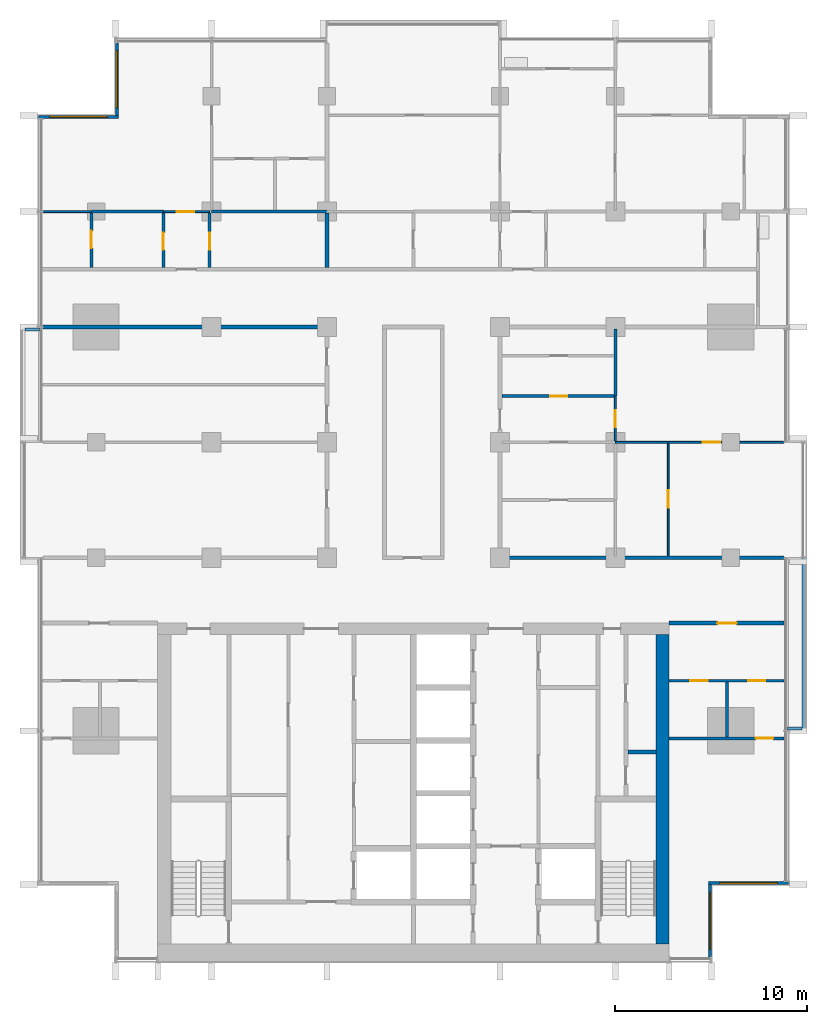
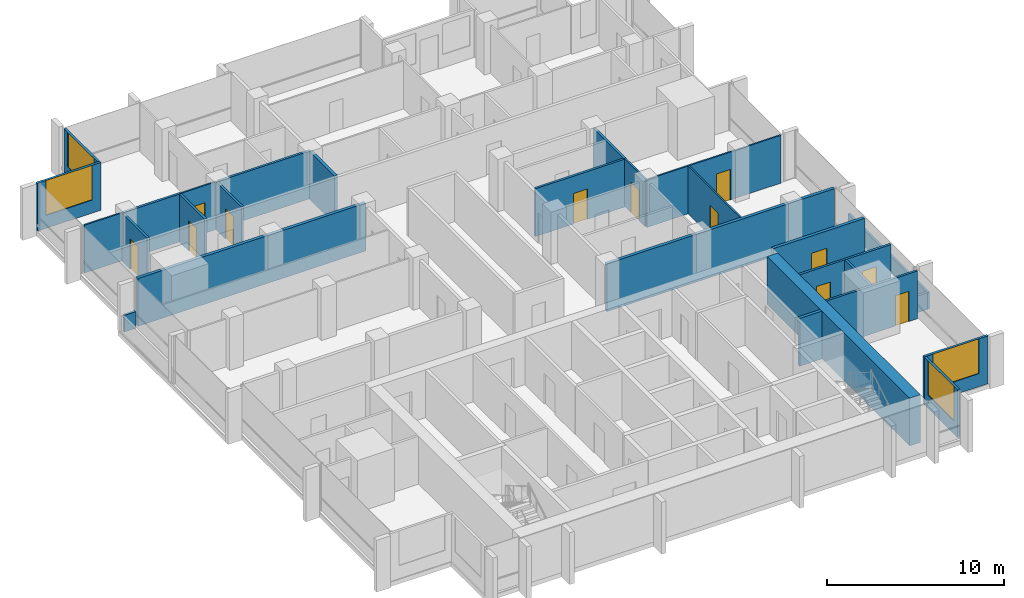
# One storey, part 9 of 16: 28 walls, 12 doors, 4 windows, 16 openings.
"""IFC4 building model written with IfcOpenShell, lengths in metres."""

from ifc_helpers import new_model, si_unit, direction, frame, frame_2d, origin, place, context, subcontext, project, spatial, rectangle, extrude, material, layer, layer_set, type_object, element, fill, save


model = new_model("IFC4")

# Units and contexts
model_context = context("Model", 3, precision=1e-05, world=origin(), true_north=direction((0.0, 1.0)))
body_context = subcontext(model_context, "Body", "Model", "MODEL_VIEW")
ifc_project = project(units=[si_unit("LENGTHUNIT", "METRE"), si_unit("AREAUNIT", "SQUARE_METRE"), si_unit("VOLUMEUNIT", "CUBIC_METRE"), si_unit("PLANEANGLEUNIT", "RADIAN"), si_unit("MASSUNIT", "GRAM", prefix="KILO")], contexts=[model_context])

# Site, building, storey
site_placement = place(None, origin())
site = spatial("IfcSite", under=ifc_project, at=site_placement, CompositionType="ELEMENT")
building_placement = place(site_placement, origin())
building = spatial("IfcBuilding", under=site, at=building_placement, Name="Finial Court Residences", CompositionType="ELEMENT")
storey_placement = place(building_placement, frame((0.0, 0.0, 156.5)))
storey = spatial("IfcBuildingStorey", under=building, at=storey_placement, Name="L38", CompositionType="ELEMENT", Elevation=156.5)

# Walls
ifc_material_1 = material(Name="Gypsum board")
ifc_layer_1 = layer(ifc_material_1, 0.02490234375)
ifc_material_2 = material(Name="Acoustic mineral wool in double frame")
ifc_layer_2 = layer(ifc_material_2, 0.14990234375)
ifc_layer_3 = layer(ifc_material_1, 0.02490234375)
ifc_layer_set_1 = layer_set([ifc_layer_1, ifc_layer_2, ifc_layer_3], Name="Acoustic party wall 200, 1 hour")
wall_type_1 = type_object("IfcWallType", Name="Acoustic party wall 200, 1 hour", PredefinedType="PARTITIONING", material=ifc_layer_set_1)
wall_1_placement = place(storey_placement, frame((-4.5, 10.60009765625, 0.0), z_axis=(0.0, 0.0, 1.0), x_axis=(0.0, 1.0, 0.0)))
element("IfcWall", 1, at=wall_1_placement, inside=storey, type_object=wall_type_1, Name="Partition L38-039", PredefinedType="PARTITIONING", context=body_context, shape_type="SweptSolid", body=[
    extrude(rectangle(XDim=2.824951171875, YDim=0.199951171875, at=frame_2d((1.41259765625, 0.0))), origin(), (0.0, 0.0, 1.0), 3.300048828125),
])
ifc_material_3 = material(Name="Concrete C70/85", Category="concrete")
ifc_layer_4 = layer(ifc_material_3, 0.699951171875)
ifc_layer_set_2 = layer_set([ifc_layer_4], Name="Core outer wall 700 Concrete C70/85")
wall_type_2 = type_object("IfcWallType", Name="Core outer wall 700 Concrete C70/85", PredefinedType="SHEAR", material=ifc_layer_set_2)
wall_2_placement = place(storey_placement, frame((12.949951171875, -24.60009765625, 0.0), z_axis=(0.0, 0.0, 1.0), x_axis=(0.0, 1.0, 0.0)))
element("IfcWall", 2, at=wall_2_placement, inside=storey, type_object=wall_type_2, Name="Core outer wall L38-04", PredefinedType="SHEAR", context=body_context, shape_type="SweptSolid", body=[
    extrude(rectangle(XDim=16.10009765625, YDim=0.699951171875, at=frame_2d((8.050048828125, 0.0))), origin(), (0.0, 0.0, 1.0), 3.300048828125),
])

# Wall, opening, door
ifc_layer_5 = layer(ifc_material_1, 0.02490234375)
ifc_layer_6 = layer(ifc_material_2, 0.14990234375)
ifc_layer_7 = layer(ifc_material_1, 0.02490234375)
ifc_layer_set_3 = layer_set([ifc_layer_5, ifc_layer_6, ifc_layer_7], Name="Corridor wall 200, 1 hour")
wall_type_3 = type_object("IfcWallType", Name="Corridor wall 200, 1 hour", PredefinedType="PARTITIONING", material=ifc_layer_set_3)
wall_3_placement = place(storey_placement, frame((13.300048828125, -7.89990234375, 0.0), z_axis=(0.0, 0.0, 1.0), x_axis=(1.0, 0.0, 0.0)))
wall_3 = element("IfcWall", 3, at=wall_3_placement, inside=storey, type_object=wall_type_3, Name="Partition L38-005", PredefinedType="PARTITIONING", context=body_context, shape_type="SweptSolid", body=[
    extrude(rectangle(XDim=5.96240234375, YDim=0.199951171875, at=frame_2d((2.981201171875, 0.0))), origin(), (0.0, 0.0, 1.0), 3.300048828125),
])
opening_1_placement = place(wall_3_placement, frame((2.5, 0.0, 0.0)))
opening_1 = element("IfcOpeningElement", 4, at=opening_1_placement, cuts=wall_3, Name="Opening L38-D008", PredefinedType="OPENING", context=body_context, shape_type="SweptSolid", body=[
    extrude(rectangle(XDim=1.0, YDim=2.10009765625, at=frame_2d((0.5, 1.050048828125))), frame((0.0, 0.10986328125, 0.0), z_axis=(0.0, -1.0, 0.0), x_axis=(1.0, 0.0, 0.0)), (0.0, 0.0, 1.0), 0.219970703125),
])
ifc_material_4 = material(Name="Timber door leaf in hollow metal frame", Category="wood")
door_type_1 = type_object("IfcDoorType", Name="Fire door set 1000 x 2100, 30 minutes", OperationType="SINGLE_SWING_LEFT", PredefinedType="DOOR", material=ifc_material_4)
door_1_placement = place(opening_1_placement, origin())
door_1 = element("IfcDoor", 5, at=door_1_placement, inside=storey, type_object=door_type_1, Name="Door L38-D008", OperationType="SINGLE_SWING_LEFT", OverallHeight=2.10009765625, OverallWidth=1.0, PredefinedType="DOOR", context=body_context, shape_type="SweptSolid", body=[
    extrude(rectangle(XDim=1.0, YDim=2.10009765625, at=frame_2d((0.5, 1.050048828125))), frame((0.0, 0.02490234375, 0.0), z_axis=(0.0, -1.0, 0.0), x_axis=(1.0, 0.0, 0.0)), (0.0, 0.0, 1.0), 0.050048828125),
])
fill(opening_1, door_1)

# Walls
for number, where, z_axis, x_axis, name in (
    (6, (4.39990234375, -4.5, 0.0), (0.0, 0.0, 1.0), (1.0, 0.0, 0.0), "Partition L38-008"),
    (7, (-19.262451171875, 7.5, 0.0), (0.0, 0.0, 1.0), (1.0, 0.0, 0.0), "Partition L38-016"),
):
    element("IfcWall", number, at=place(storey_placement, frame(where, z_axis=z_axis, x_axis=x_axis)), inside=storey, type_object=wall_type_3, Name=name, PredefinedType="PARTITIONING", context=body_context, shape_type="SweptSolid", body=[
        extrude(rectangle(XDim=14.862548828125, YDim=0.199951171875, at=frame_2d((7.43115234375, 0.0))), origin(), (0.0, 0.0, 1.0), 3.300048828125),
    ])

# Wall, opening, door
ifc_layer_8 = layer(ifc_material_1, 0.012451171875)
ifc_material_5 = material(Name="Mineral wool in light-gauge frame")
ifc_layer_9 = layer(ifc_material_5, 0.074951171875)
ifc_layer_10 = layer(ifc_material_1, 0.012451171875)
ifc_layer_set_4 = layer_set([ifc_layer_8, ifc_layer_9, ifc_layer_10], Name="Gypsum board partition 100")
wall_type_4 = type_object("IfcWallType", Name="Gypsum board partition 100", PredefinedType="PARTITIONING", material=ifc_layer_set_4)
wall_4_placement = place(storey_placement, frame((10.5, 1.5, 0.0), z_axis=(0.0, 0.0, 1.0), x_axis=(1.0, 0.0, 0.0)))
wall_4 = element("IfcWall", 8, at=wall_4_placement, inside=storey, type_object=wall_type_4, Name="Partition L38-011", PredefinedType="PARTITIONING", context=body_context, shape_type="SweptSolid", body=[
    extrude(rectangle(XDim=8.762451171875, YDim=0.10009765625, at=frame_2d((4.38134765625, 0.0))), origin(), (0.0, 0.0, 1.0), 3.300048828125),
])
opening_2_placement = place(wall_4_placement, frame((4.550048828125, 0.0, 0.0)))
opening_2 = element("IfcOpeningElement", 9, at=opening_2_placement, cuts=wall_4, Name="Opening L38-D011", PredefinedType="OPENING", context=body_context, shape_type="SweptSolid", body=[
    extrude(rectangle(XDim=0.89990234375, YDim=2.10009765625, at=frame_2d((0.449951171875, 1.050048828125))), frame((0.0, 0.06005859375, 0.0), z_axis=(0.0, -1.0, 0.0), x_axis=(1.0, 0.0, 0.0)), (0.0, 0.0, 1.0), 0.1201171875),
])
ifc_material_6 = material(Name="Timber door leaf in timber frame", Category="wood")
door_type_2 = type_object("IfcDoorType", Name="Door set 900 x 2100", OperationType="SINGLE_SWING_LEFT", PredefinedType="DOOR", material=ifc_material_6)
door_2_placement = place(opening_2_placement, origin())
door_2 = element("IfcDoor", 10, at=door_2_placement, inside=storey, type_object=door_type_2, Name="Door L38-D011", OperationType="SINGLE_SWING_RIGHT", OverallHeight=2.10009765625, OverallWidth=0.89990234375, PredefinedType="DOOR", context=body_context, shape_type="SweptSolid", body=[
    extrude(rectangle(XDim=0.89990234375, YDim=2.10009765625, at=frame_2d((0.449951171875, 1.050048828125))), frame((0.0, 0.02490234375, 0.0), z_axis=(0.0, -1.0, 0.0), x_axis=(1.0, 0.0, 0.0)), (0.0, 0.0, 1.0), 0.050048828125),
])
fill(opening_2, door_2)

# Wall
wall_5_placement = place(storey_placement, frame((-19.262451171875, 13.5, 0.0), z_axis=(0.0, 0.0, 1.0), x_axis=(1.0, 0.0, 0.0)))
element("IfcWall", 11, at=wall_5_placement, inside=storey, type_object=wall_type_4, Name="Partition L38-020", PredefinedType="PARTITIONING", context=body_context, shape_type="SweptSolid", body=[
    extrude(rectangle(XDim=2.512451171875, YDim=0.10009765625, at=frame_2d((1.25634765625, 0.0))), origin(), (0.0, 0.0, 1.0), 3.300048828125),
])

# Wall, opening, door
wall_6_placement = place(storey_placement, frame((-13.0, 13.5, 0.0), z_axis=(0.0, 0.0, 1.0), x_axis=(1.0, 0.0, 0.0)))
wall_6 = element("IfcWall", 12, at=wall_6_placement, inside=storey, type_object=wall_type_4, Name="Partition L38-021", PredefinedType="PARTITIONING", context=body_context, shape_type="SweptSolid", body=[
    extrude(rectangle(XDim=2.39990234375, YDim=0.10009765625, at=frame_2d((1.199951171875, 0.0))), origin(), (0.0, 0.0, 1.0), 3.300048828125),
])
opening_3_placement = place(wall_6_placement, frame((0.699951171875, 0.0, 0.0)))
opening_3 = element("IfcOpeningElement", 13, at=opening_3_placement, cuts=wall_6, Name="Opening L38-D017", PredefinedType="OPENING", context=body_context, shape_type="SweptSolid", body=[
    extrude(rectangle(XDim=0.89990234375, YDim=2.10009765625, at=frame_2d((0.449951171875, 1.050048828125))), frame((0.0, 0.06005859375, 0.0), z_axis=(0.0, -1.0, 0.0), x_axis=(1.0, 0.0, 0.0)), (0.0, 0.0, 1.0), 0.1201171875),
])
door_3_placement = place(opening_3_placement, origin())
door_3 = element("IfcDoor", 14, at=door_3_placement, inside=storey, type_object=door_type_2, Name="Door L38-D017", OperationType="SINGLE_SWING_RIGHT", OverallHeight=2.10009765625, OverallWidth=0.89990234375, PredefinedType="DOOR", context=body_context, shape_type="SweptSolid", body=[
    extrude(rectangle(XDim=0.89990234375, YDim=2.10009765625, at=frame_2d((0.449951171875, 1.050048828125))), frame((0.0, 0.02490234375, 0.0), z_axis=(0.0, -1.0, 0.0), x_axis=(1.0, 0.0, 0.0)), (0.0, 0.0, 1.0), 0.050048828125),
])
fill(opening_3, door_3)

wall_7_placement = place(storey_placement, frame((10.5, 1.574951171875, 0.0), z_axis=(0.0, 0.0, 1.0), x_axis=(0.0, 1.0, 0.0)))
wall_7 = element("IfcWall", 15, at=wall_7_placement, inside=storey, type_object=wall_type_4, Name="Partition L38-049", PredefinedType="PARTITIONING", context=body_context, shape_type="SweptSolid", body=[
    extrude(rectangle(XDim=2.324951171875, YDim=0.10009765625, at=frame_2d((1.16259765625, 0.0))), origin(), (0.0, 0.0, 1.0), 3.300048828125),
])
opening_4_placement = place(wall_7_placement, frame((0.699951171875, 0.0, 0.0)))
opening_4 = element("IfcOpeningElement", 16, at=opening_4_placement, cuts=wall_7, Name="Opening L38-D035", PredefinedType="OPENING", context=body_context, shape_type="SweptSolid", body=[
    extrude(rectangle(XDim=0.89990234375, YDim=2.10009765625, at=frame_2d((0.449951171875, 1.050048828125))), frame((0.0, 0.06005859375, 0.0), z_axis=(0.0, -1.0, 0.0), x_axis=(1.0, 0.0, 0.0)), (0.0, 0.0, 1.0), 0.1201171875),
])
door_4_placement = place(opening_4_placement, origin())
door_4 = element("IfcDoor", 17, at=door_4_placement, inside=storey, type_object=door_type_2, Name="Door L38-D035", OperationType="SINGLE_SWING_LEFT", OverallHeight=2.10009765625, OverallWidth=0.89990234375, PredefinedType="DOOR", context=body_context, shape_type="SweptSolid", body=[
    extrude(rectangle(XDim=0.89990234375, YDim=2.10009765625, at=frame_2d((0.449951171875, 1.050048828125))), frame((0.0, 0.02490234375, 0.0), z_axis=(0.0, -1.0, 0.0), x_axis=(1.0, 0.0, 0.0)), (0.0, 0.0, 1.0), 0.050048828125),
])
fill(opening_4, door_4)

wall_8_placement = place(storey_placement, frame((13.25, -4.39990234375, 0.0), z_axis=(0.0, 0.0, 1.0), x_axis=(0.0, 1.0, 0.0)))
wall_8 = element("IfcWall", 18, at=wall_8_placement, inside=storey, type_object=wall_type_4, Name="Partition L38-053", PredefinedType="PARTITIONING", context=body_context, shape_type="SweptSolid", body=[
    extrude(rectangle(XDim=5.849853515625, YDim=0.10009765625, at=frame_2d((2.9248046875, 0.0))), origin(), (0.0, 0.0, 1.0), 3.300048828125),
])
opening_5_placement = place(wall_8_placement, frame((2.5, 0.0, 0.0)))
opening_5 = element("IfcOpeningElement", 19, at=opening_5_placement, cuts=wall_8, Name="Opening L38-D037", PredefinedType="OPENING", context=body_context, shape_type="SweptSolid", body=[
    extrude(rectangle(XDim=0.89990234375, YDim=2.10009765625, at=frame_2d((0.449951171875, 1.050048828125))), frame((0.0, 0.06005859375, 0.0), z_axis=(0.0, -1.0, 0.0), x_axis=(1.0, 0.0, 0.0)), (0.0, 0.0, 1.0), 0.1201171875),
])
door_5_placement = place(opening_5_placement, origin())
door_5 = element("IfcDoor", 20, at=door_5_placement, inside=storey, type_object=door_type_2, Name="Door L38-D037", OperationType="SINGLE_SWING_LEFT", OverallHeight=2.10009765625, OverallWidth=0.89990234375, PredefinedType="DOOR", context=body_context, shape_type="SweptSolid", body=[
    extrude(rectangle(XDim=0.89990234375, YDim=2.10009765625, at=frame_2d((0.449951171875, 1.050048828125))), frame((0.0, 0.02490234375, 0.0), z_axis=(0.0, -1.0, 0.0), x_axis=(1.0, 0.0, 0.0)), (0.0, 0.0, 1.0), 0.050048828125),
])
fill(opening_5, door_5)

ifc_material_7 = material(Name="Moisture-resistant gypsum board")
ifc_layer_11 = layer(ifc_material_7, 0.012451171875)
ifc_layer_12 = layer(ifc_material_5, 0.125)
ifc_layer_13 = layer(ifc_material_7, 0.012451171875)
ifc_layer_set_5 = layer_set([ifc_layer_11, ifc_layer_12, ifc_layer_13], Name="Gypsum board wet-area partition 150")
wall_type_5 = type_object("IfcWallType", Name="Gypsum board wet-area partition 150", PredefinedType="PARTITIONING", material=ifc_layer_set_5)
wall_9_placement = place(storey_placement, frame((13.300048828125, -13.89990234375, 0.0), z_axis=(0.0, 0.0, 1.0), x_axis=(1.0, 0.0, 0.0)))
wall_9 = element("IfcWall", 21, at=wall_9_placement, inside=storey, type_object=wall_type_5, Name="Partition L38-001", PredefinedType="PARTITIONING", context=body_context, shape_type="SweptSolid", body=[
    extrude(rectangle(XDim=5.96240234375, YDim=0.14990234375, at=frame_2d((2.981201171875, 0.0))), origin(), (0.0, 0.0, 1.0), 3.300048828125),
])
opening_6_placement = place(wall_9_placement, frame((4.5, 0.0, 0.0)))
opening_6 = element("IfcOpeningElement", 22, at=opening_6_placement, cuts=wall_9, Name="Opening L38-D002", PredefinedType="OPENING", context=body_context, shape_type="SweptSolid", body=[
    extrude(rectangle(XDim=0.89990234375, YDim=2.10009765625, at=frame_2d((0.449951171875, 1.050048828125))), frame((0.0, 0.0849609375, 0.0), z_axis=(0.0, -1.0, 0.0), x_axis=(1.0, 0.0, 0.0)), (0.0, 0.0, 1.0), 0.169921875),
])
door_6_placement = place(opening_6_placement, origin())
door_6 = element("IfcDoor", 23, at=door_6_placement, inside=storey, type_object=door_type_2, Name="Door L38-D002", OperationType="SINGLE_SWING_RIGHT", OverallHeight=2.10009765625, OverallWidth=0.89990234375, PredefinedType="DOOR", context=body_context, shape_type="SweptSolid", body=[
    extrude(rectangle(XDim=0.89990234375, YDim=2.10009765625, at=frame_2d((0.449951171875, 1.050048828125))), frame((0.0, 0.02490234375, 0.0), z_axis=(0.0, -1.0, 0.0), x_axis=(1.0, 0.0, 0.0)), (0.0, 0.0, 1.0), 0.050048828125),
])
fill(opening_6, door_6)

# Wall, openings, doors
wall_10_placement = place(storey_placement, frame((13.300048828125, -10.89990234375, 0.0), z_axis=(0.0, 0.0, 1.0), x_axis=(1.0, 0.0, 0.0)))
wall_10 = element("IfcWall", 24, at=wall_10_placement, inside=storey, type_object=wall_type_5, Name="Partition L38-003", PredefinedType="PARTITIONING", context=body_context, shape_type="SweptSolid", body=[
    extrude(rectangle(XDim=5.96240234375, YDim=0.14990234375, at=frame_2d((2.981201171875, 0.0))), origin(), (0.0, 0.0, 1.0), 3.300048828125),
])
opening_7_placement = place(wall_10_placement, frame((1.10009765625, 0.0, 0.0)))
opening_7 = element("IfcOpeningElement", 25, at=opening_7_placement, cuts=wall_10, Name="Opening L38-D005", PredefinedType="OPENING", context=body_context, shape_type="SweptSolid", body=[
    extrude(rectangle(XDim=0.89990234375, YDim=2.10009765625, at=frame_2d((0.449951171875, 1.050048828125))), frame((0.0, 0.0849609375, 0.0), z_axis=(0.0, -1.0, 0.0), x_axis=(1.0, 0.0, 0.0)), (0.0, 0.0, 1.0), 0.169921875),
])
opening_8_placement = place(wall_10_placement, frame((4.10009765625, 0.0, 0.0)))
opening_8 = element("IfcOpeningElement", 26, at=opening_8_placement, cuts=wall_10, Name="Opening L38-D006", PredefinedType="OPENING", context=body_context, shape_type="SweptSolid", body=[
    extrude(rectangle(XDim=0.89990234375, YDim=2.10009765625, at=frame_2d((0.449951171875, 1.050048828125))), frame((0.0, 0.0849609375, 0.0), z_axis=(0.0, -1.0, 0.0), x_axis=(1.0, 0.0, 0.0)), (0.0, 0.0, 1.0), 0.169921875),
])
door_7_placement = place(opening_7_placement, origin())
door_7 = element("IfcDoor", 27, at=door_7_placement, inside=storey, type_object=door_type_2, Name="Door L38-D005", OperationType="SINGLE_SWING_LEFT", OverallHeight=2.10009765625, OverallWidth=0.89990234375, PredefinedType="DOOR", context=body_context, shape_type="SweptSolid", body=[
    extrude(rectangle(XDim=0.89990234375, YDim=2.10009765625, at=frame_2d((0.449951171875, 1.050048828125))), frame((0.0, 0.02490234375, 0.0), z_axis=(0.0, -1.0, 0.0), x_axis=(1.0, 0.0, 0.0)), (0.0, 0.0, 1.0), 0.050048828125),
])
fill(opening_7, door_7)
door_8_placement = place(opening_8_placement, origin())
door_8 = element("IfcDoor", 28, at=door_8_placement, inside=storey, type_object=door_type_2, Name="Door L38-D006", OperationType="SINGLE_SWING_RIGHT", OverallHeight=2.10009765625, OverallWidth=0.89990234375, PredefinedType="DOOR", context=body_context, shape_type="SweptSolid", body=[
    extrude(rectangle(XDim=0.89990234375, YDim=2.10009765625, at=frame_2d((0.449951171875, 1.050048828125))), frame((0.0, 0.02490234375, 0.0), z_axis=(0.0, -1.0, 0.0), x_axis=(1.0, 0.0, 0.0)), (0.0, 0.0, 1.0), 0.050048828125),
])
fill(opening_8, door_8)

# Wall, opening, door
wall_11_placement = place(storey_placement, frame((4.60009765625, 3.89990234375, 0.0), z_axis=(0.0, 0.0, 1.0), x_axis=(1.0, 0.0, 0.0)))
wall_11 = element("IfcWall", 29, at=wall_11_placement, inside=storey, type_object=wall_type_5, Name="Partition L38-013", PredefinedType="PARTITIONING", context=body_context, shape_type="SweptSolid", body=[
    extrude(rectangle(XDim=5.824951171875, YDim=0.14990234375, at=frame_2d((2.91259765625, 0.0))), origin(), (0.0, 0.0, 1.0), 3.300048828125),
])
opening_9_placement = place(wall_11_placement, frame((2.5, 0.0, 0.0)))
opening_9 = element("IfcOpeningElement", 30, at=opening_9_placement, cuts=wall_11, Name="Opening L38-D013", PredefinedType="OPENING", context=body_context, shape_type="SweptSolid", body=[
    extrude(rectangle(XDim=0.89990234375, YDim=2.10009765625, at=frame_2d((0.449951171875, 1.050048828125))), frame((0.0, 0.0849609375, 0.0), z_axis=(0.0, -1.0, 0.0), x_axis=(1.0, 0.0, 0.0)), (0.0, 0.0, 1.0), 0.169921875),
])
door_9_placement = place(opening_9_placement, origin())
door_9 = element("IfcDoor", 31, at=door_9_placement, inside=storey, type_object=door_type_2, Name="Door L38-D013", OperationType="SINGLE_SWING_RIGHT", OverallHeight=2.10009765625, OverallWidth=0.89990234375, PredefinedType="DOOR", context=body_context, shape_type="SweptSolid", body=[
    extrude(rectangle(XDim=0.89990234375, YDim=2.10009765625, at=frame_2d((0.449951171875, 1.050048828125))), frame((0.0, 0.02490234375, 0.0), z_axis=(0.0, -1.0, 0.0), x_axis=(1.0, 0.0, 0.0)), (0.0, 0.0, 1.0), 0.050048828125),
])
fill(opening_9, door_9)

# Walls
wall_12_placement = place(storey_placement, frame((-16.75, 13.5, 0.0), z_axis=(0.0, 0.0, 1.0), x_axis=(1.0, 0.0, 0.0)))
element("IfcWall", 32, at=wall_12_placement, inside=storey, type_object=wall_type_5, Name="Partition L38-024", PredefinedType="PARTITIONING", context=body_context, shape_type="SweptSolid", body=[
    extrude(rectangle(XDim=3.75, YDim=0.14990234375, at=frame_2d((1.875, 0.0))), origin(), (0.0, 0.0, 1.0), 3.300048828125),
])
wall_13_placement = place(storey_placement, frame((-10.5, 13.5, 0.0), z_axis=(0.0, 0.0, 1.0), x_axis=(1.0, 0.0, 0.0)))
element("IfcWall", 33, at=wall_13_placement, inside=storey, type_object=wall_type_5, Name="Partition L38-025", PredefinedType="PARTITIONING", context=body_context, shape_type="SweptSolid", body=[
    extrude(rectangle(XDim=6.0, YDim=0.14990234375, at=frame_2d((3.0, 0.0))), origin(), (0.0, 0.0, 1.0), 3.300048828125),
])

# Wall, opening, door
wall_14_placement = place(storey_placement, frame((-16.75, 10.60009765625, 0.0), z_axis=(0.0, 0.0, 1.0), x_axis=(0.0, 1.0, 0.0)))
wall_14 = element("IfcWall", 34, at=wall_14_placement, inside=storey, type_object=wall_type_5, Name="Partition L38-032", PredefinedType="PARTITIONING", context=body_context, shape_type="SweptSolid", body=[
    extrude(rectangle(XDim=2.824951171875, YDim=0.14990234375, at=frame_2d((1.41259765625, 0.0))), origin(), (0.0, 0.0, 1.0), 3.300048828125),
])
opening_10_placement = place(wall_14_placement, frame((1.0, 0.0, 0.0)))
opening_10 = element("IfcOpeningElement", 35, at=opening_10_placement, cuts=wall_14, Name="Opening L38-D023", PredefinedType="OPENING", context=body_context, shape_type="SweptSolid", body=[
    extrude(rectangle(XDim=0.89990234375, YDim=2.10009765625, at=frame_2d((0.449951171875, 1.050048828125))), frame((0.0, 0.0849609375, 0.0), z_axis=(0.0, -1.0, 0.0), x_axis=(1.0, 0.0, 0.0)), (0.0, 0.0, 1.0), 0.169921875),
])
door_10_placement = place(opening_10_placement, origin())
door_10 = element("IfcDoor", 36, at=door_10_placement, inside=storey, type_object=door_type_2, Name="Door L38-D023", OperationType="SINGLE_SWING_LEFT", OverallHeight=2.10009765625, OverallWidth=0.89990234375, PredefinedType="DOOR", context=body_context, shape_type="SweptSolid", body=[
    extrude(rectangle(XDim=0.89990234375, YDim=2.10009765625, at=frame_2d((0.449951171875, 1.050048828125))), frame((0.0, 0.02490234375, 0.0), z_axis=(0.0, -1.0, 0.0), x_axis=(1.0, 0.0, 0.0)), (0.0, 0.0, 1.0), 0.050048828125),
])
fill(opening_10, door_10)

wall_15_placement = place(storey_placement, frame((-13.0, 10.60009765625, 0.0), z_axis=(0.0, 0.0, 1.0), x_axis=(0.0, 1.0, 0.0)))
wall_15 = element("IfcWall", 37, at=wall_15_placement, inside=storey, type_object=wall_type_5, Name="Partition L38-034", PredefinedType="PARTITIONING", context=body_context, shape_type="SweptSolid", body=[
    extrude(rectangle(XDim=2.824951171875, YDim=0.14990234375, at=frame_2d((1.41259765625, 0.0))), origin(), (0.0, 0.0, 1.0), 3.300048828125),
])
opening_11_placement = place(wall_15_placement, frame((0.89990234375, 0.0, 0.0)))
opening_11 = element("IfcOpeningElement", 38, at=opening_11_placement, cuts=wall_15, Name="Opening L38-D024", PredefinedType="OPENING", context=body_context, shape_type="SweptSolid", body=[
    extrude(rectangle(XDim=0.89990234375, YDim=2.10009765625, at=frame_2d((0.449951171875, 1.050048828125))), frame((0.0, 0.0849609375, 0.0), z_axis=(0.0, -1.0, 0.0), x_axis=(1.0, 0.0, 0.0)), (0.0, 0.0, 1.0), 0.169921875),
])
door_11_placement = place(opening_11_placement, origin())
door_11 = element("IfcDoor", 39, at=door_11_placement, inside=storey, type_object=door_type_2, Name="Door L38-D024", OperationType="SINGLE_SWING_LEFT", OverallHeight=2.10009765625, OverallWidth=0.89990234375, PredefinedType="DOOR", context=body_context, shape_type="SweptSolid", body=[
    extrude(rectangle(XDim=0.89990234375, YDim=2.10009765625, at=frame_2d((0.449951171875, 1.050048828125))), frame((0.0, 0.02490234375, 0.0), z_axis=(0.0, -1.0, 0.0), x_axis=(1.0, 0.0, 0.0)), (0.0, 0.0, 1.0), 0.050048828125),
])
fill(opening_11, door_11)

wall_16_placement = place(storey_placement, frame((-10.60009765625, 10.60009765625, 0.0), z_axis=(0.0, 0.0, 1.0), x_axis=(0.0, 1.0, 0.0)))
wall_16 = element("IfcWall", 40, at=wall_16_placement, inside=storey, type_object=wall_type_5, Name="Partition L38-035", PredefinedType="PARTITIONING", context=body_context, shape_type="SweptSolid", body=[
    extrude(rectangle(XDim=2.824951171875, YDim=0.14990234375, at=frame_2d((1.41259765625, 0.0))), origin(), (0.0, 0.0, 1.0), 3.300048828125),
])
opening_12_placement = place(wall_16_placement, frame((0.89990234375, 0.0, 0.0)))
opening_12 = element("IfcOpeningElement", 41, at=opening_12_placement, cuts=wall_16, Name="Opening L38-D025", PredefinedType="OPENING", context=body_context, shape_type="SweptSolid", body=[
    extrude(rectangle(XDim=0.89990234375, YDim=2.10009765625, at=frame_2d((0.449951171875, 1.050048828125))), frame((0.0, 0.0849609375, 0.0), z_axis=(0.0, -1.0, 0.0), x_axis=(1.0, 0.0, 0.0)), (0.0, 0.0, 1.0), 0.169921875),
])
door_12_placement = place(opening_12_placement, origin())
door_12 = element("IfcDoor", 42, at=door_12_placement, inside=storey, type_object=door_type_2, Name="Door L38-D025", OperationType="SINGLE_SWING_RIGHT", OverallHeight=2.10009765625, OverallWidth=0.89990234375, PredefinedType="DOOR", context=body_context, shape_type="SweptSolid", body=[
    extrude(rectangle(XDim=0.89990234375, YDim=2.10009765625, at=frame_2d((0.449951171875, 1.050048828125))), frame((0.0, 0.02490234375, 0.0), z_axis=(0.0, -1.0, 0.0), x_axis=(1.0, 0.0, 0.0)), (0.0, 0.0, 1.0), 0.050048828125),
])
fill(opening_12, door_12)

# Walls
wall_17_placement = place(storey_placement, frame((10.5, 3.89990234375, 0.0), z_axis=(0.0, 0.0, 1.0), x_axis=(0.0, 1.0, 0.0)))
element("IfcWall", 43, at=wall_17_placement, inside=storey, type_object=wall_type_5, Name="Partition L38-052", PredefinedType="PARTITIONING", context=body_context, shape_type="SweptSolid", body=[
    extrude(rectangle(XDim=3.5, YDim=0.14990234375, at=frame_2d((1.75, 0.0))), origin(), (0.0, 0.0, 1.0), 3.300048828125),
])
wall_18_placement = place(storey_placement, frame((16.300048828125, -13.824951171875, 0.0), z_axis=(0.0, 0.0, 1.0), x_axis=(0.0, 1.0, 0.0)))
element("IfcWall", 44, at=wall_18_placement, inside=storey, type_object=wall_type_5, Name="Partition L38-055", PredefinedType="PARTITIONING", context=body_context, shape_type="SweptSolid", body=[
    extrude(rectangle(XDim=2.849853515625, YDim=0.14990234375, at=frame_2d((1.4248046875, 0.0))), origin(), (0.0, 0.0, 1.0), 3.300048828125),
])
ifc_material_8 = material(Name="Concrete C35/45", Category="concrete")
ifc_layer_14 = layer(ifc_material_8, 0.14990234375)
ifc_layer_set_6 = layer_set([ifc_layer_14], Name="Ledge parapet, Concrete C35/45 150")
wall_type_6 = type_object("IfcWallType", Name="Ledge parapet, Concrete C35/45 150", PredefinedType="PARAPET", material=ifc_layer_set_6)
wall_19_placement = place(storey_placement, frame((-20.199951171875, 7.375, 0.0), z_axis=(0.0, 0.0, 1.0), x_axis=(1.0, 0.0, 0.0)))
element("IfcWall", 45, at=wall_19_placement, inside=storey, type_object=wall_type_6, Name="E-L38-LED1-P2", PredefinedType="PARAPET", context=body_context, shape_type="SweptSolid", body=[
    extrude(rectangle(XDim=0.75244140625, YDim=0.14990234375, at=frame_2d((0.376220703125, 0.0))), origin(), (0.0, 0.0, 1.0), 1.14990234375),
])
wall_20_placement = place(storey_placement, frame((20.27490234375, -4.447509765625, 0.0), z_axis=(0.0, 0.0, 1.0), x_axis=(0.0, -1.0, 0.0)))
element("IfcWall", 46, at=wall_20_placement, inside=storey, type_object=wall_type_6, Name="E-L38-LED2-P1", PredefinedType="PARAPET", context=body_context, shape_type="SweptSolid", body=[
    extrude(rectangle(XDim=9.00244140625, YDim=0.14990234375, at=frame_2d((4.501220703125, 0.0))), origin(), (0.0, 0.0, 1.0), 1.14990234375),
])
wall_21_placement = place(storey_placement, frame((20.199951171875, -13.375, 0.0), z_axis=(0.0, 0.0, 1.0), x_axis=(-1.0, 0.0, 0.0)))
element("IfcWall", 47, at=wall_21_placement, inside=storey, type_object=wall_type_6, Name="E-L38-LED2-P2", PredefinedType="PARAPET", context=body_context, shape_type="SweptSolid", body=[
    extrude(rectangle(XDim=0.75244140625, YDim=0.14990234375, at=frame_2d((0.376220703125, 0.0))), origin(), (0.0, 0.0, 1.0), 1.14990234375),
])

# Wall, opening, window
ifc_material_9 = material(Name="Natural limestone", Category="masonry")
ifc_layer_15 = layer(ifc_material_9, 0.14990234375)
ifc_layer_set_7 = layer_set([ifc_layer_15], Name="Limestone clad wall 150")
wall_type_7 = type_object("IfcWallType", Name="Limestone clad wall 150", PredefinedType="SOLIDWALL", material=ifc_layer_set_7)
wall_22_placement = place(storey_placement, frame((15.425048828125, -21.5, 0.0), z_axis=(0.0, 0.0, 1.0), x_axis=(0.0, -1.0, 0.0)))
wall_22 = element("IfcWall", 48, at=wall_22_placement, inside=storey, type_object=wall_type_7, Name="E-L38-NWE15", PredefinedType="SOLIDWALL", context=body_context, shape_type="SweptSolid", body=[
    extrude(rectangle(XDim=3.762451171875, YDim=0.14990234375, at=frame_2d((1.88134765625, 0.0))), origin(), (0.0, 0.0, 1.0), 3.300048828125),
])
opening_13_placement = place(wall_22_placement, frame((0.4013671875, 0.0, 0.89990234375)))
opening_13 = element("IfcOpeningElement", 49, at=opening_13_placement, cuts=wall_22, Name="Opening WE38-03", PredefinedType="OPENING", context=body_context, shape_type="SweptSolid", body=[
    extrude(rectangle(XDim=2.9599609375, YDim=2.39990234375, at=frame_2d((1.47998046875, 1.199951171875))), frame((0.0, 0.0849609375, 0.0), z_axis=(0.0, -1.0, 0.0), x_axis=(1.0, 0.0, 0.0)), (0.0, 0.0, 1.0), 0.169921875),
])
ifc_material_10 = material(Name="Clear low-e glass", Category="glass")
window_type_1 = type_object("IfcWindowType", Name="Corner window 2960 x 2400", PartitioningType="SINGLE_PANEL", PredefinedType="WINDOW", material=ifc_material_10)
window_1_placement = place(opening_13_placement, origin())
window_1 = element("IfcWindow", 50, at=window_1_placement, inside=storey, type_object=window_type_1, Name="E-L38-NWE15-W1", OverallHeight=2.39990234375, OverallWidth=2.9599609375, PartitioningType="SINGLE_PANEL", PredefinedType="WINDOW", context=body_context, shape_type="SweptSolid", body=[
    extrude(rectangle(XDim=2.9599609375, YDim=2.39990234375, at=frame_2d((1.47998046875, 1.199951171875))), frame((0.0, 0.030029296875, 0.0), z_axis=(0.0, -1.0, 0.0), x_axis=(1.0, 0.0, 0.0)), (0.0, 0.0, 1.0), 0.06005859375),
])
fill(opening_13, window_1)

wall_23_placement = place(storey_placement, frame((19.5, -21.425048828125, 0.0), z_axis=(0.0, 0.0, 1.0), x_axis=(-1.0, 0.0, 0.0)))
wall_23 = element("IfcWall", 51, at=wall_23_placement, inside=storey, type_object=wall_type_7, Name="E-L38-NWS16", PredefinedType="SOLIDWALL", context=body_context, shape_type="SweptSolid", body=[
    extrude(rectangle(XDim=4.14990234375, YDim=0.14990234375, at=frame_2d((2.074951171875, 0.0))), origin(), (0.0, 0.0, 1.0), 3.300048828125),
])
opening_14_placement = place(wall_23_placement, frame((0.574951171875, 0.0, 0.89990234375)))
opening_14 = element("IfcOpeningElement", 52, at=opening_14_placement, cuts=wall_23, Name="Opening WE38-04", PredefinedType="OPENING", context=body_context, shape_type="SweptSolid", body=[
    extrude(rectangle(XDim=3.0, YDim=2.39990234375, at=frame_2d((1.5, 1.199951171875))), frame((0.0, 0.0849609375, 0.0), z_axis=(0.0, -1.0, 0.0), x_axis=(1.0, 0.0, 0.0)), (0.0, 0.0, 1.0), 0.169921875),
])
window_type_2 = type_object("IfcWindowType", Name="Corner window 3000 x 2400", PartitioningType="SINGLE_PANEL", PredefinedType="WINDOW", material=ifc_material_10)
window_2_placement = place(opening_14_placement, origin())
window_2 = element("IfcWindow", 53, at=window_2_placement, inside=storey, type_object=window_type_2, Name="E-L38-NWS16-W1", OverallHeight=2.39990234375, OverallWidth=3.0, PartitioningType="SINGLE_PANEL", PredefinedType="WINDOW", context=body_context, shape_type="SweptSolid", body=[
    extrude(rectangle(XDim=3.0, YDim=2.39990234375, at=frame_2d((1.5, 1.199951171875))), frame((0.0, 0.030029296875, 0.0), z_axis=(0.0, -1.0, 0.0), x_axis=(1.0, 0.0, 0.0)), (0.0, 0.0, 1.0), 0.06005859375),
])
fill(opening_14, window_2)

wall_24_placement = place(storey_placement, frame((-15.425048828125, 18.5, 0.0), z_axis=(0.0, 0.0, 1.0), x_axis=(0.0, 1.0, 0.0)))
wall_24 = element("IfcWall", 54, at=wall_24_placement, inside=storey, type_object=wall_type_7, Name="E-L38-NWW17", PredefinedType="SOLIDWALL", context=body_context, shape_type="SweptSolid", body=[
    extrude(rectangle(XDim=3.762451171875, YDim=0.14990234375, at=frame_2d((1.88134765625, 0.0))), origin(), (0.0, 0.0, 1.0), 3.300048828125),
])
opening_15_placement = place(wall_24_placement, frame((0.4013671875, 0.0, 0.89990234375)))
opening_15 = element("IfcOpeningElement", 55, at=opening_15_placement, cuts=wall_24, Name="Opening WE38-05", PredefinedType="OPENING", context=body_context, shape_type="SweptSolid", body=[
    extrude(rectangle(XDim=2.9599609375, YDim=2.39990234375, at=frame_2d((1.47998046875, 1.199951171875))), frame((0.0, 0.0849609375, 0.0), z_axis=(0.0, -1.0, 0.0), x_axis=(1.0, 0.0, 0.0)), (0.0, 0.0, 1.0), 0.169921875),
])
window_3_placement = place(opening_15_placement, origin())
window_3 = element("IfcWindow", 56, at=window_3_placement, inside=storey, type_object=window_type_1, Name="E-L38-NWW17-W1", OverallHeight=2.39990234375, OverallWidth=2.9599609375, PartitioningType="SINGLE_PANEL", PredefinedType="WINDOW", context=body_context, shape_type="SweptSolid", body=[
    extrude(rectangle(XDim=2.9599609375, YDim=2.39990234375, at=frame_2d((1.47998046875, 1.199951171875))), frame((0.0, 0.030029296875, 0.0), z_axis=(0.0, -1.0, 0.0), x_axis=(1.0, 0.0, 0.0)), (0.0, 0.0, 1.0), 0.06005859375),
])
fill(opening_15, window_3)

wall_25_placement = place(storey_placement, frame((-19.5, 18.425048828125, 0.0), z_axis=(0.0, 0.0, 1.0), x_axis=(1.0, 0.0, 0.0)))
wall_25 = element("IfcWall", 57, at=wall_25_placement, inside=storey, type_object=wall_type_7, Name="E-L38-NWN18", PredefinedType="SOLIDWALL", context=body_context, shape_type="SweptSolid", body=[
    extrude(rectangle(XDim=4.14990234375, YDim=0.14990234375, at=frame_2d((2.074951171875, 0.0))), origin(), (0.0, 0.0, 1.0), 3.300048828125),
])
opening_16_placement = place(wall_25_placement, frame((0.574951171875, 0.0, 0.89990234375)))
opening_16 = element("IfcOpeningElement", 58, at=opening_16_placement, cuts=wall_25, Name="Opening WE38-06", PredefinedType="OPENING", context=body_context, shape_type="SweptSolid", body=[
    extrude(rectangle(XDim=3.0, YDim=2.39990234375, at=frame_2d((1.5, 1.199951171875))), frame((0.0, 0.0849609375, 0.0), z_axis=(0.0, -1.0, 0.0), x_axis=(1.0, 0.0, 0.0)), (0.0, 0.0, 1.0), 0.169921875),
])
window_4_placement = place(opening_16_placement, origin())
window_4 = element("IfcWindow", 59, at=window_4_placement, inside=storey, type_object=window_type_2, Name="E-L38-NWN18-W1", OverallHeight=2.39990234375, OverallWidth=3.0, PartitioningType="SINGLE_PANEL", PredefinedType="WINDOW", context=body_context, shape_type="SweptSolid", body=[
    extrude(rectangle(XDim=3.0, YDim=2.39990234375, at=frame_2d((1.5, 1.199951171875))), frame((0.0, 0.030029296875, 0.0), z_axis=(0.0, -1.0, 0.0), x_axis=(1.0, 0.0, 0.0)), (0.0, 0.0, 1.0), 0.06005859375),
])
fill(opening_16, window_4)

# Wall
ifc_material_11 = material(Name="Fire-rated gypsum board partition")
ifc_layer_16 = layer(ifc_material_11, 0.199951171875)
ifc_layer_set_8 = layer_set([ifc_layer_16], Name="Riser room wall 200 EI 120")
wall_type_8 = type_object("IfcWallType", Name="Riser room wall 200 EI 120", PredefinedType="PARTITIONING", material=ifc_layer_set_8)
wall_26_placement = place(storey_placement, frame((11.14990234375, -14.60009765625, 0.0), z_axis=(0.0, 0.0, 1.0), x_axis=(1.0, 0.0, 0.0)))
element("IfcWall", 60, at=wall_26_placement, inside=storey, type_object=wall_type_8, Name="Core partition L38-12", PredefinedType="PARTITIONING", context=body_context, shape_type="SweptSolid", body=[
    extrude(rectangle(XDim=1.4501953125, YDim=0.199951171875, at=frame_2d((0.72509765625, 0.0))), origin(), (0.0, 0.0, 1.0), 3.300048828125),
])

save(model, "model.ifc")
